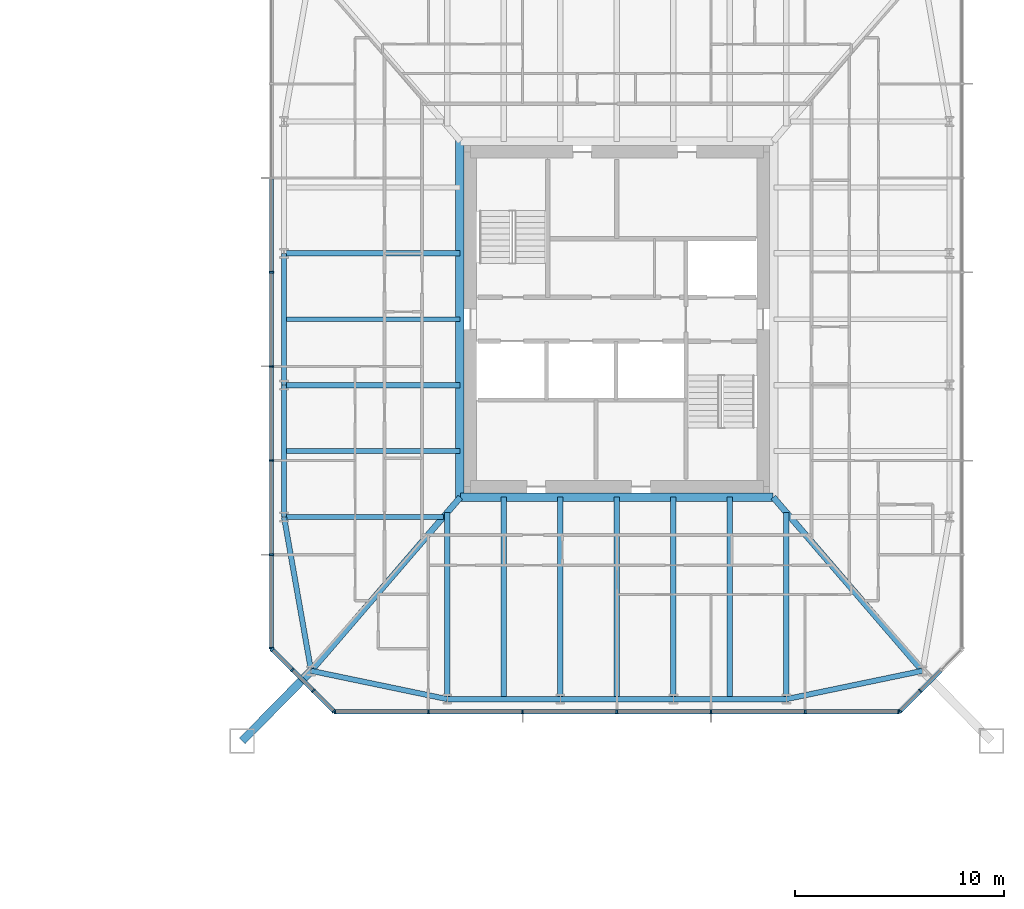
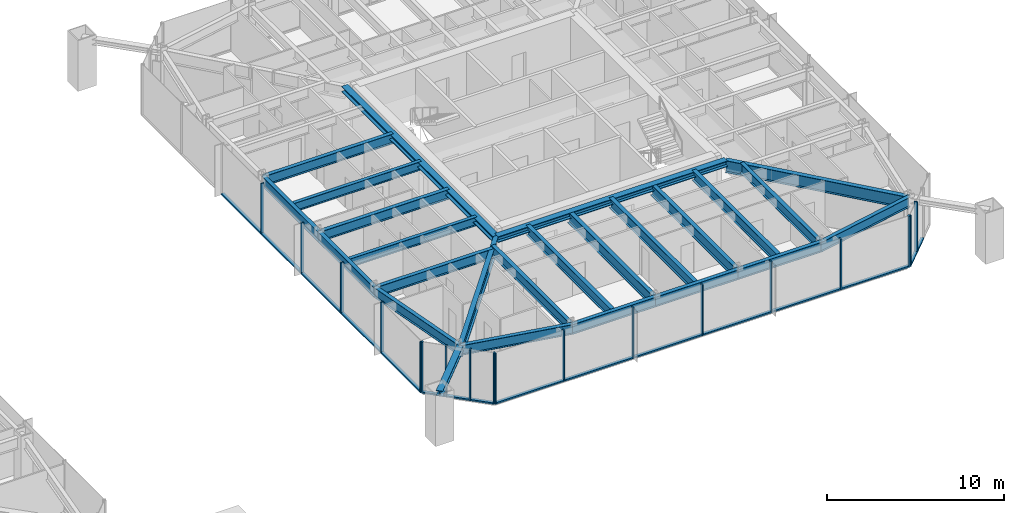
# One storey, part 8 of 26: 35 members, 24 beams, 4 elements without a shape of their own.
"""IFC4 building model written with IfcOpenShell, lengths in metres."""

from ifc_helpers import new_model, si_unit, direction, frame, origin, origin_2d, place, context, subcontext, project, spatial, rectangle, i_section, extrude, material, material_profile, profile_set, type_object, element, aggregate, save


model = new_model("IFC4")

# Units and contexts
model_context = context("Model", 3, precision=1e-05, world=origin(), true_north=direction((0.0, 1.0)))
body_context = subcontext(model_context, "Body", "Model", "MODEL_VIEW")
ifc_project = project(units=[si_unit("LENGTHUNIT", "METRE"), si_unit("AREAUNIT", "SQUARE_METRE"), si_unit("VOLUMEUNIT", "CUBIC_METRE"), si_unit("PLANEANGLEUNIT", "RADIAN"), si_unit("MASSUNIT", "GRAM", prefix="KILO")], contexts=[model_context])

# Site, building, storey
site_placement = place(None, origin())
site = spatial("IfcSite", under=ifc_project, at=site_placement, CompositionType="ELEMENT")
building_placement = place(site_placement, origin())
building = spatial("IfcBuilding", under=site, at=building_placement, Name="Iwan Alto Co-Living Towers", CompositionType="ELEMENT")
storey_placement = place(building_placement, frame((0.0, 0.0, 29.0)))
storey = spatial("IfcBuildingStorey", under=building, at=storey_placement, Name="L07", CompositionType="ELEMENT", Elevation=29.0)

# Curtain wall, members
ifc_material_1 = material(Name="Bronze aluminium unitised frame", Category="aluminium")
curtain_wall_type_1 = type_object("IfcCurtainWallType", Name="CURTAIN WALL CW-C", PredefinedType="NOTDEFINED", material=ifc_material_1)
curtain_wall_1_placement = place(storey_placement, origin())
curtain_wall_1 = element("IfcCurtainWall", 1, at=curtain_wall_1_placement, inside=storey, type_object=curtain_wall_type_1, Name="T2 curtain wall S L07", PredefinedType="NOTDEFINED")
ifc_material_2 = material(Name="Aluminium 6063-T6 bronze anodised", Category="aluminium")
ifc_material_profile_1 = material_profile(ifc_material_2, rectangle(XDim=0.199951171875, YDim=0.080078125, at=origin_2d()), Name="AL 80X200")
ifc_profile_set_1 = profile_set([ifc_material_profile_1], Name="Aluminium 6063-T6 bronze anodised")
member_type_1 = type_object("IfcMemberType", Name="CW-C MULLION 80X200", PredefinedType="MULLION", material=ifc_profile_set_1)
member_1_placement = place(storey_placement, frame((49.5400390625, -18.75, 0.0), z_axis=(0.0, 0.0, 1.0), x_axis=(0.0, 1.0, 0.0)))
member_1 = element("IfcMember", 2, at=member_1_placement, type_object=member_type_1, Name="CW-C mullion 1", PredefinedType="MULLION", context=body_context, shape_type="SweptSolid", body=[
    extrude(rectangle(XDim=0.199951171875, YDim=0.080078125, at=origin_2d()), origin(), (0.0, 0.0, 1.0), 3.5),
])
member_2_placement = place(storey_placement, frame((54.0, -18.75, 0.0), z_axis=(0.0, 0.0, 1.0), x_axis=(0.0, 1.0, 0.0)))
member_2 = element("IfcMember", 3, at=member_2_placement, type_object=member_type_1, Name="CW-C mullion 2", PredefinedType="MULLION", context=body_context, shape_type="SweptSolid", body=[
    extrude(rectangle(XDim=0.199951171875, YDim=0.080078125, at=origin_2d()), origin(), (0.0, 0.0, 1.0), 3.5),
])
member_3_placement = place(storey_placement, frame((58.5, -18.75, 0.0), z_axis=(0.0, 0.0, 1.0), x_axis=(0.0, 1.0, 0.0)))
member_3 = element("IfcMember", 4, at=member_3_placement, type_object=member_type_1, Name="CW-C mullion 3", PredefinedType="MULLION", context=body_context, shape_type="SweptSolid", body=[
    extrude(rectangle(XDim=0.199951171875, YDim=0.080078125, at=origin_2d()), origin(), (0.0, 0.0, 1.0), 3.5),
])
member_4_placement = place(storey_placement, frame((63.0, -18.75, 0.0), z_axis=(0.0, 0.0, 1.0), x_axis=(0.0, 1.0, 0.0)))
member_4 = element("IfcMember", 5, at=member_4_placement, type_object=member_type_1, Name="CW-C mullion 4", PredefinedType="MULLION", context=body_context, shape_type="SweptSolid", body=[
    extrude(rectangle(XDim=0.199951171875, YDim=0.080078125, at=origin_2d()), origin(), (0.0, 0.0, 1.0), 3.5),
])
member_5_placement = place(storey_placement, frame((67.5, -18.75, 0.0), z_axis=(0.0, 0.0, 1.0), x_axis=(0.0, 1.0, 0.0)))
member_5 = element("IfcMember", 6, at=member_5_placement, type_object=member_type_1, Name="CW-C mullion 5", PredefinedType="MULLION", context=body_context, shape_type="SweptSolid", body=[
    extrude(rectangle(XDim=0.199951171875, YDim=0.080078125, at=origin_2d()), origin(), (0.0, 0.0, 1.0), 3.5),
])
member_6_placement = place(storey_placement, frame((72.0, -18.75, 0.0), z_axis=(0.0, 0.0, 1.0), x_axis=(0.0, 1.0, 0.0)))
member_6 = element("IfcMember", 7, at=member_6_placement, type_object=member_type_1, Name="CW-C mullion 6", PredefinedType="MULLION", context=body_context, shape_type="SweptSolid", body=[
    extrude(rectangle(XDim=0.199951171875, YDim=0.080078125, at=origin_2d()), origin(), (0.0, 0.0, 1.0), 3.5),
])
member_7_placement = place(storey_placement, frame((76.4599609375, -18.75, 0.0), z_axis=(0.0, 0.0, 1.0), x_axis=(0.0, 1.0, 0.0)))
member_7 = element("IfcMember", 8, at=member_7_placement, type_object=member_type_1, Name="CW-C mullion 7", PredefinedType="MULLION", context=body_context, shape_type="SweptSolid", body=[
    extrude(rectangle(XDim=0.199951171875, YDim=0.080078125, at=origin_2d()), origin(), (0.0, 0.0, 1.0), 3.5),
])

curtain_wall_2_placement = place(storey_placement, origin())
curtain_wall_2 = element("IfcCurtainWall", 9, at=curtain_wall_2_placement, inside=storey, type_object=curtain_wall_type_1, Name="T2 curtain wall W L07", PredefinedType="NOTDEFINED")
member_8_placement = place(storey_placement, frame((46.5, 2.25, 0.0), z_axis=(0.0, 0.0, 1.0), x_axis=(1.0, 0.0, 0.0)))
member_8 = element("IfcMember", 10, at=member_8_placement, type_object=member_type_1, Name="CW-C mullion 4", PredefinedType="MULLION", context=body_context, shape_type="SweptSolid", body=[
    extrude(rectangle(XDim=0.199951171875, YDim=0.080078125, at=origin_2d()), origin(), (0.0, 0.0, 1.0), 3.5),
])
member_9_placement = place(storey_placement, frame((46.5, -2.25, 0.0), z_axis=(0.0, 0.0, 1.0), x_axis=(1.0, 0.0, 0.0)))
member_9 = element("IfcMember", 11, at=member_9_placement, type_object=member_type_1, Name="CW-C mullion 5", PredefinedType="MULLION", context=body_context, shape_type="SweptSolid", body=[
    extrude(rectangle(XDim=0.199951171875, YDim=0.080078125, at=origin_2d()), origin(), (0.0, 0.0, 1.0), 3.5),
])
member_10_placement = place(storey_placement, frame((46.5, -6.75, 0.0), z_axis=(0.0, 0.0, 1.0), x_axis=(1.0, 0.0, 0.0)))
member_10 = element("IfcMember", 12, at=member_10_placement, type_object=member_type_1, Name="CW-C mullion 6", PredefinedType="MULLION", context=body_context, shape_type="SweptSolid", body=[
    extrude(rectangle(XDim=0.199951171875, YDim=0.080078125, at=origin_2d()), origin(), (0.0, 0.0, 1.0), 3.5),
])
member_11_placement = place(storey_placement, frame((46.5, -11.25, 0.0), z_axis=(0.0, 0.0, 1.0), x_axis=(1.0, 0.0, 0.0)))
member_11 = element("IfcMember", 13, at=member_11_placement, type_object=member_type_1, Name="CW-C mullion 7", PredefinedType="MULLION", context=body_context, shape_type="SweptSolid", body=[
    extrude(rectangle(XDim=0.199951171875, YDim=0.080078125, at=origin_2d()), origin(), (0.0, 0.0, 1.0), 3.5),
])
member_12_placement = place(storey_placement, frame((46.5, -15.7099609375, 0.0), z_axis=(0.0, 0.0, 1.0), x_axis=(1.0, 0.0, 0.0)))
member_12 = element("IfcMember", 14, at=member_12_placement, type_object=member_type_1, Name="CW-C mullion 8", PredefinedType="MULLION", context=body_context, shape_type="SweptSolid", body=[
    extrude(rectangle(XDim=0.199951171875, YDim=0.080078125, at=origin_2d()), origin(), (0.0, 0.0, 1.0), 3.5),
])

# Member
ifc_material_3 = material(Name="Aluminium 6063-T6 bronze anodised", Category="aluminium")
ifc_material_profile_2 = material_profile(ifc_material_3, rectangle(XDim=0.199951171875, YDim=0.10009765625, at=origin_2d()), Name="AL 200X100")
ifc_profile_set_2 = profile_set([ifc_material_profile_2], Name="Aluminium 6063-T6 bronze anodised")
member_type_2 = type_object("IfcMemberType", Name="CW-C TRANSOM 200X100", PredefinedType="USERDEFINED", material=ifc_profile_set_2)
member_13_placement = place(storey_placement, frame((49.580078125, -18.75, 0.050048828125), z_axis=(1.0, 0.0, 0.0), x_axis=(0.0, 1.0, 0.0)))
member_13 = element("IfcMember", 15, at=member_13_placement, type_object=member_type_2, Name="CW-C transom 1.1", ObjectType="TRANSOM", PredefinedType="USERDEFINED", context=body_context, shape_type="SweptSolid", body=[
    extrude(rectangle(XDim=0.199951171875, YDim=0.10009765625, at=origin_2d()), origin(), (0.0, 0.0, 1.0), 4.3798828125),
])

member_14_placement = place(storey_placement, frame((54.0400390625, -18.75, 0.050048828125), z_axis=(1.0, 0.0, 0.0), x_axis=(0.0, 1.0, 0.0)))
member_14 = element("IfcMember", 16, at=member_14_placement, type_object=member_type_2, Name="CW-C transom 2.1", ObjectType="TRANSOM", PredefinedType="USERDEFINED", context=body_context, shape_type="SweptSolid", body=[
    extrude(rectangle(XDim=0.199951171875, YDim=0.10009765625, at=origin_2d()), origin(), (0.0, 0.0, 1.0), 4.419921875),
])

member_15_placement = place(storey_placement, frame((58.5400390625, -18.75, 0.050048828125), z_axis=(1.0, 0.0, 0.0), x_axis=(0.0, 1.0, 0.0)))
member_15 = element("IfcMember", 17, at=member_15_placement, type_object=member_type_2, Name="CW-C transom 3.1", ObjectType="TRANSOM", PredefinedType="USERDEFINED", context=body_context, shape_type="SweptSolid", body=[
    extrude(rectangle(XDim=0.199951171875, YDim=0.10009765625, at=origin_2d()), origin(), (0.0, 0.0, 1.0), 4.419921875),
])

member_16_placement = place(storey_placement, frame((63.0400390625, -18.75, 0.050048828125), z_axis=(1.0, 0.0, 0.0), x_axis=(0.0, 1.0, 0.0)))
member_16 = element("IfcMember", 18, at=member_16_placement, type_object=member_type_2, Name="CW-C transom 4.1", ObjectType="TRANSOM", PredefinedType="USERDEFINED", context=body_context, shape_type="SweptSolid", body=[
    extrude(rectangle(XDim=0.199951171875, YDim=0.10009765625, at=origin_2d()), origin(), (0.0, 0.0, 1.0), 4.419921875),
])

member_17_placement = place(storey_placement, frame((67.5400390625, -18.75, 0.050048828125), z_axis=(1.0, 0.0, 0.0), x_axis=(0.0, 1.0, 0.0)))
member_17 = element("IfcMember", 19, at=member_17_placement, type_object=member_type_2, Name="CW-C transom 5.1", ObjectType="TRANSOM", PredefinedType="USERDEFINED", context=body_context, shape_type="SweptSolid", body=[
    extrude(rectangle(XDim=0.199951171875, YDim=0.10009765625, at=origin_2d()), origin(), (0.0, 0.0, 1.0), 4.419921875),
])

member_18_placement = place(storey_placement, frame((72.0400390625, -18.75, 0.050048828125), z_axis=(1.0, 0.0, 0.0), x_axis=(0.0, 1.0, 0.0)))
member_18 = element("IfcMember", 20, at=member_18_placement, type_object=member_type_2, Name="CW-C transom 6.1", ObjectType="TRANSOM", PredefinedType="USERDEFINED", context=body_context, shape_type="SweptSolid", body=[
    extrude(rectangle(XDim=0.199951171875, YDim=0.10009765625, at=origin_2d()), origin(), (0.0, 0.0, 1.0), 4.3798828125),
])

aggregate(curtain_wall_1, [member_1, member_2, member_3, member_4, member_5, member_6, member_7, member_13, member_14, member_15, member_16, member_17, member_18])

member_19_placement = place(storey_placement, frame((46.5, 6.7099609375, 0.050048828125), z_axis=(0.0, -1.0, 0.0), x_axis=(1.0, 0.0, 0.0)))
member_19 = element("IfcMember", 21, at=member_19_placement, type_object=member_type_2, Name="CW-C transom 3.1", ObjectType="TRANSOM", PredefinedType="USERDEFINED", context=body_context, shape_type="SweptSolid", body=[
    extrude(rectangle(XDim=0.199951171875, YDim=0.10009765625, at=origin_2d()), origin(), (0.0, 0.0, 1.0), 4.419921875),
])

member_20_placement = place(storey_placement, frame((46.5, 2.2099609375, 0.050048828125), z_axis=(0.0, -1.0, 0.0), x_axis=(1.0, 0.0, 0.0)))
member_20 = element("IfcMember", 22, at=member_20_placement, type_object=member_type_2, Name="CW-C transom 4.1", ObjectType="TRANSOM", PredefinedType="USERDEFINED", context=body_context, shape_type="SweptSolid", body=[
    extrude(rectangle(XDim=0.199951171875, YDim=0.10009765625, at=origin_2d()), origin(), (0.0, 0.0, 1.0), 4.419921875),
])

member_21_placement = place(storey_placement, frame((46.5, -2.2900390625, 0.050048828125), z_axis=(0.0, -1.0, 0.0), x_axis=(1.0, 0.0, 0.0)))
member_21 = element("IfcMember", 23, at=member_21_placement, type_object=member_type_2, Name="CW-C transom 5.1", ObjectType="TRANSOM", PredefinedType="USERDEFINED", context=body_context, shape_type="SweptSolid", body=[
    extrude(rectangle(XDim=0.199951171875, YDim=0.10009765625, at=origin_2d()), origin(), (0.0, 0.0, 1.0), 4.419921875),
])

member_22_placement = place(storey_placement, frame((46.5, -6.7900390625, 0.050048828125), z_axis=(0.0, -1.0, 0.0), x_axis=(1.0, 0.0, 0.0)))
member_22 = element("IfcMember", 24, at=member_22_placement, type_object=member_type_2, Name="CW-C transom 6.1", ObjectType="TRANSOM", PredefinedType="USERDEFINED", context=body_context, shape_type="SweptSolid", body=[
    extrude(rectangle(XDim=0.199951171875, YDim=0.10009765625, at=origin_2d()), origin(), (0.0, 0.0, 1.0), 4.419921875),
])

member_23_placement = place(storey_placement, frame((46.5, -11.2900390625, 0.050048828125), z_axis=(0.0, -1.0, 0.0), x_axis=(1.0, 0.0, 0.0)))
member_23 = element("IfcMember", 25, at=member_23_placement, type_object=member_type_2, Name="CW-C transom 7.1", ObjectType="TRANSOM", PredefinedType="USERDEFINED", context=body_context, shape_type="SweptSolid", body=[
    extrude(rectangle(XDim=0.199951171875, YDim=0.10009765625, at=origin_2d()), origin(), (0.0, 0.0, 1.0), 4.3798828125),
])

aggregate(curtain_wall_2, [member_8, member_9, member_10, member_11, member_12, member_19, member_20, member_21, member_22, member_23])

# Curtain wall, members
ifc_material_4 = material(Name="Bronze aluminium unitised frame", Category="aluminium")
curtain_wall_type_2 = type_object("IfcCurtainWallType", Name="CURTAIN WALL CW-D", PredefinedType="NOTDEFINED", material=ifc_material_4)
curtain_wall_3_placement = place(storey_placement, origin())
curtain_wall_3 = element("IfcCurtainWall", 26, at=curtain_wall_3_placement, inside=storey, type_object=curtain_wall_type_2, Name="T2 chamfer curtain wall SE L07", PredefinedType="NOTDEFINED")
ifc_material_5 = material(Name="Aluminium 6063-T6 bronze anodised", Category="aluminium")
ifc_material_profile_3 = material_profile(ifc_material_5, rectangle(XDim=0.199951171875, YDim=0.080078125, at=origin_2d()), Name="AL 80X200")
ifc_profile_set_3 = profile_set([ifc_material_profile_3], Name="Aluminium 6063-T6 bronze anodised")
member_type_3 = type_object("IfcMemberType", Name="CW-D MULLION 80X200", PredefinedType="MULLION", material=ifc_profile_set_3)
member_24_placement = place(storey_placement, frame((76.5283203125, -18.7216796875, 0.0), z_axis=(0.0, 0.0, 1.0), x_axis=(-0.707106781187, 0.707106781187, 0.0)))
member_24 = element("IfcMember", 27, at=member_24_placement, type_object=member_type_3, Name="CW-D mullion 1", PredefinedType="MULLION", context=body_context, shape_type="SweptSolid", body=[
    extrude(rectangle(XDim=0.199951171875, YDim=0.080078125, at=origin_2d()), origin(), (0.0, 0.0, 1.0), 3.5),
])
member_25_placement = place(storey_placement, frame((77.5, -17.75, 0.0), z_axis=(0.0, 0.0, 1.0), x_axis=(-0.707106781187, 0.707106781187, 0.0)))
member_25 = element("IfcMember", 28, at=member_25_placement, type_object=member_type_3, Name="CW-D mullion 2", PredefinedType="MULLION", context=body_context, shape_type="SweptSolid", body=[
    extrude(rectangle(XDim=0.199951171875, YDim=0.080078125, at=origin_2d()), origin(), (0.0, 0.0, 1.0), 3.5),
])

curtain_wall_4_placement = place(storey_placement, origin())
curtain_wall_4 = element("IfcCurtainWall", 29, at=curtain_wall_4_placement, inside=storey, type_object=curtain_wall_type_2, Name="T2 chamfer curtain wall SW L07", PredefinedType="NOTDEFINED")
member_26_placement = place(storey_placement, frame((46.5283203125, -15.7783203125, 0.0), z_axis=(0.0, 0.0, 1.0), x_axis=(0.707106781187, 0.707106781187, 0.0)))
member_26 = element("IfcMember", 30, at=member_26_placement, type_object=member_type_3, Name="CW-D mullion 1", PredefinedType="MULLION", context=body_context, shape_type="SweptSolid", body=[
    extrude(rectangle(XDim=0.199951171875, YDim=0.080078125, at=origin_2d()), origin(), (0.0, 0.0, 1.0), 3.5),
])
member_27_placement = place(storey_placement, frame((47.5, -16.75, 0.0), z_axis=(0.0, 0.0, 1.0), x_axis=(0.707106781187, 0.707106781187, 0.0)))
member_27 = element("IfcMember", 31, at=member_27_placement, type_object=member_type_3, Name="CW-D mullion 2", PredefinedType="MULLION", context=body_context, shape_type="SweptSolid", body=[
    extrude(rectangle(XDim=0.199951171875, YDim=0.080078125, at=origin_2d()), origin(), (0.0, 0.0, 1.0), 3.5),
])
member_28_placement = place(storey_placement, frame((48.5, -17.75, 0.0), z_axis=(0.0, 0.0, 1.0), x_axis=(0.707106781187, 0.707106781187, 0.0)))
member_28 = element("IfcMember", 32, at=member_28_placement, type_object=member_type_3, Name="CW-D mullion 3", PredefinedType="MULLION", context=body_context, shape_type="SweptSolid", body=[
    extrude(rectangle(XDim=0.199951171875, YDim=0.080078125, at=origin_2d()), origin(), (0.0, 0.0, 1.0), 3.5),
])
member_29_placement = place(storey_placement, frame((49.4716796875, -18.7216796875, 0.0), z_axis=(0.0, 0.0, 1.0), x_axis=(0.707106781187, 0.707106781187, 0.0)))
member_29 = element("IfcMember", 33, at=member_29_placement, type_object=member_type_3, Name="CW-D mullion 4", PredefinedType="MULLION", context=body_context, shape_type="SweptSolid", body=[
    extrude(rectangle(XDim=0.199951171875, YDim=0.080078125, at=origin_2d()), origin(), (0.0, 0.0, 1.0), 3.5),
])

# Member
ifc_material_6 = material(Name="Aluminium 6063-T6 bronze anodised", Category="aluminium")
ifc_material_profile_4 = material_profile(ifc_material_6, rectangle(XDim=0.199951171875, YDim=0.10009765625, at=origin_2d()), Name="AL 200X100")
ifc_profile_set_4 = profile_set([ifc_material_profile_4], Name="Aluminium 6063-T6 bronze anodised")
member_type_4 = type_object("IfcMemberType", Name="CW-D TRANSOM 200X100", PredefinedType="USERDEFINED", material=ifc_profile_set_4)
member_30_placement = place(storey_placement, frame((76.556640625, -18.693359375, 0.050048828125), z_axis=(0.707106781187, 0.707106781187, 0.0), x_axis=(-0.707106781187, 0.707106781187, 0.0)))
member_30 = element("IfcMember", 34, at=member_30_placement, type_object=member_type_4, Name="CW-D transom 1.1", ObjectType="TRANSOM", PredefinedType="USERDEFINED", context=body_context, shape_type="SweptSolid", body=[
    extrude(rectangle(XDim=0.199951171875, YDim=0.10009765625, at=origin_2d()), origin(), (0.0, 0.0, 1.0), 1.2939453125),
])

member_31_placement = place(storey_placement, frame((77.5283203125, -17.7216796875, 0.050048828125), z_axis=(0.707106781187, 0.707106781187, 0.0), x_axis=(-0.707106781187, 0.707106781187, 0.0)))
member_31 = element("IfcMember", 35, at=member_31_placement, type_object=member_type_4, Name="CW-D transom 2.1", ObjectType="TRANSOM", PredefinedType="USERDEFINED", context=body_context, shape_type="SweptSolid", body=[
    extrude(rectangle(XDim=0.199951171875, YDim=0.10009765625, at=origin_2d()), origin(), (0.0, 0.0, 1.0), 1.334228515625),
])

aggregate(curtain_wall_3, [member_24, member_25, member_30, member_31])

member_32_placement = place(storey_placement, frame((46.556640625, -15.806640625, 0.050048828125), z_axis=(0.707106781187, -0.707106781187, 0.0), x_axis=(0.707106781187, 0.707106781187, 0.0)))
member_32 = element("IfcMember", 36, at=member_32_placement, type_object=member_type_4, Name="CW-D transom 1.1", ObjectType="TRANSOM", PredefinedType="USERDEFINED", context=body_context, shape_type="SweptSolid", body=[
    extrude(rectangle(XDim=0.199951171875, YDim=0.10009765625, at=origin_2d()), origin(), (0.0, 0.0, 1.0), 1.2939453125),
])

member_33_placement = place(storey_placement, frame((47.5283203125, -16.7783203125, 0.050048828125), z_axis=(0.707106781187, -0.707106781187, 0.0), x_axis=(0.707106781187, 0.707106781187, 0.0)))
member_33 = element("IfcMember", 37, at=member_33_placement, type_object=member_type_4, Name="CW-D transom 2.1", ObjectType="TRANSOM", PredefinedType="USERDEFINED", context=body_context, shape_type="SweptSolid", body=[
    extrude(rectangle(XDim=0.199951171875, YDim=0.10009765625, at=origin_2d()), origin(), (0.0, 0.0, 1.0), 1.334228515625),
])

member_34_placement = place(storey_placement, frame((48.5283203125, -17.7783203125, 0.050048828125), z_axis=(0.707106781187, -0.707106781187, 0.0), x_axis=(0.707106781187, 0.707106781187, 0.0)))
member_34 = element("IfcMember", 38, at=member_34_placement, type_object=member_type_4, Name="CW-D transom 3.1", ObjectType="TRANSOM", PredefinedType="USERDEFINED", context=body_context, shape_type="SweptSolid", body=[
    extrude(rectangle(XDim=0.199951171875, YDim=0.10009765625, at=origin_2d()), origin(), (0.0, 0.0, 1.0), 1.2939453125),
])

aggregate(curtain_wall_4, [member_26, member_27, member_28, member_29, member_32, member_33, member_34])

# Beams
ifc_material_7 = material(Name="Steel ASTM A992 Gr 50", Category="steel")
ifc_material_profile_5 = material_profile(ifc_material_7, i_section(OverallWidth=0.40380859375, OverallDepth=0.406494140625, WebThickness=0.027099609375, FlangeThickness=0.043701171875, at=origin_2d()), Name="W14X233")
ifc_profile_set_5 = profile_set([ifc_material_profile_5], Name="Steel ASTM A992 Gr 50")
beam_type_1 = type_object("IfcBeamType", Name="T2 CORE LEDGER BEAM W14X233", PredefinedType="BEAM", material=ifc_profile_set_5)
beam_1_placement = place(storey_placement, frame((55.5263671875, -8.501953125, 3.06689453125), z_axis=(1.0, 0.0, 0.0), x_axis=(0.0, 1.0, 0.0)))
element("IfcBeam", 39, at=beam_1_placement, inside=storey, type_object=beam_type_1, Name="T2 core ledger beam S L08", PredefinedType="BEAM", context=body_context, shape_type="SweptSolid", body=[
    extrude(i_section(OverallWidth=0.40380859375, OverallDepth=0.406494140625, WebThickness=0.027099609375, FlangeThickness=0.043701171875, at=origin_2d()), origin(), (0.0, 0.0, 1.0), 14.947265625),
])
beam_2_placement = place(storey_placement, frame((55.498046875, 8.534912109375, 3.06689453125), z_axis=(0.0, -1.0, 0.0), x_axis=(1.0, 0.0, 0.0)))
element("IfcBeam", 40, at=beam_2_placement, inside=storey, type_object=beam_type_1, Name="T2 core ledger beam W L08", PredefinedType="BEAM", context=body_context, shape_type="SweptSolid", body=[
    extrude(i_section(OverallWidth=0.40380859375, OverallDepth=0.406494140625, WebThickness=0.027099609375, FlangeThickness=0.043701171875, at=origin_2d()), origin(), (0.0, 0.0, 1.0), 17.06982421875),
])
ifc_material_8 = material(Name="Steel ASTM A992 Gr 50", Category="steel")
ifc_material_profile_6 = material_profile(ifc_material_8, i_section(OverallWidth=0.2919921875, OverallDepth=0.8408203125, WebThickness=0.0146484375, FlangeThickness=0.021728515625, at=origin_2d()), Name="W33X130")
ifc_profile_set_6 = profile_set([ifc_material_profile_6], Name="Steel ASTM A992 Gr 50")
beam_type_2 = type_object("IfcBeamType", Name="T2 CORNER GIRDER W33X130", PredefinedType="BEAM", material=ifc_profile_set_6)
for number, where, z_axis, x_axis, name in (
    (41, (48.393798828125, -16.797119140625, 2.849609375), (0.651972301827, 0.758242782788, 0.0), (-0.758242782788, 0.651972301827, 0.0), "T2 corner girder CSW L08"),
    (42, (77.606201171875, -16.797119140625, 2.849609375), (-0.651972301827, 0.758242782788, 0.0), (-0.758242782788, -0.651972301827, 0.0), "T2 corner girder CSE L08"),
):
    element("IfcBeam", number, at=place(storey_placement, frame(where, z_axis=z_axis, x_axis=x_axis)), inside=storey, type_object=beam_type_2, Name=name, PredefinedType="BEAM", context=body_context, shape_type="SweptSolid", body=[
        extrude(i_section(OverallWidth=0.2919921875, OverallDepth=0.8408203125, WebThickness=0.0146484375, FlangeThickness=0.021728515625, at=origin_2d()), origin(), (0.0, 0.0, 1.0), 10.93994140625),
    ])
ifc_material_9 = material(Name="Steel ASTM A992 Gr 50", Category="steel")
ifc_material_profile_7 = material_profile(ifc_material_9, i_section(OverallWidth=0.25390625, OverallDepth=0.683349609375, WebThickness=0.012451171875, FlangeThickness=0.018798828125, at=origin_2d()), Name="W27X94")
ifc_profile_set_7 = profile_set([ifc_material_profile_7], Name="Steel ASTM A992 Gr 50")
beam_type_3 = type_object("IfcBeamType", Name="T2 EDGE BEAM W27X94", PredefinedType="BEAM", material=ifc_profile_set_7)
beam_3_placement = place(storey_placement, frame((48.393798828125, -16.797119140625, 2.928466796875), z_axis=(0.979060119423, -0.203571320564, 0.0), x_axis=(0.203571320564, 0.979060119423, 0.0)))
element("IfcBeam", 43, at=beam_3_placement, inside=storey, type_object=beam_type_3, Name="T2 edge beam CSW L08", PredefinedType="BEAM", context=body_context, shape_type="SweptSolid", body=[
    extrude(i_section(OverallWidth=0.25390625, OverallDepth=0.683349609375, WebThickness=0.012451171875, FlangeThickness=0.018798828125, at=origin_2d()), origin(), (0.0, 0.0, 1.0), 6.645263671875),
])
beam_4_placement = place(storey_placement, frame((54.89990234375, -18.14990234375, 2.928466796875), z_axis=(1.0, 0.0, 0.0), x_axis=(0.0, 1.0, 0.0)))
element("IfcBeam", 44, at=beam_4_placement, inside=storey, type_object=beam_type_3, Name="T2 edge beam S1 L08", PredefinedType="BEAM", context=body_context, shape_type="SweptSolid", body=[
    extrude(i_section(OverallWidth=0.25390625, OverallDepth=0.683349609375, WebThickness=0.012451171875, FlangeThickness=0.018798828125, at=origin_2d()), origin(), (0.0, 0.0, 1.0), 5.400146484375),
])
beam_5_placement = place(storey_placement, frame((60.300048828125, -18.14990234375, 2.928466796875), z_axis=(1.0, 0.0, 0.0), x_axis=(0.0, 1.0, 0.0)))
element("IfcBeam", 45, at=beam_5_placement, inside=storey, type_object=beam_type_3, Name="T2 edge beam S2 L08", PredefinedType="BEAM", context=body_context, shape_type="SweptSolid", body=[
    extrude(i_section(OverallWidth=0.25390625, OverallDepth=0.683349609375, WebThickness=0.012451171875, FlangeThickness=0.018798828125, at=origin_2d()), origin(), (0.0, 0.0, 1.0), 5.39990234375),
])
beam_6_placement = place(storey_placement, frame((65.699951171875, -18.14990234375, 2.928466796875), z_axis=(1.0, 0.0, 0.0), x_axis=(0.0, 1.0, 0.0)))
element("IfcBeam", 46, at=beam_6_placement, inside=storey, type_object=beam_type_3, Name="T2 edge beam S3 L08", PredefinedType="BEAM", context=body_context, shape_type="SweptSolid", body=[
    extrude(i_section(OverallWidth=0.25390625, OverallDepth=0.683349609375, WebThickness=0.012451171875, FlangeThickness=0.018798828125, at=origin_2d()), origin(), (0.0, 0.0, 1.0), 5.400146484375),
])
beam_7_placement = place(storey_placement, frame((71.10009765625, -18.14990234375, 2.928466796875), z_axis=(0.979060119423, 0.203571320564, 0.0), x_axis=(-0.203571320564, 0.979060119423, 0.0)))
element("IfcBeam", 47, at=beam_7_placement, inside=storey, type_object=beam_type_3, Name="T2 edge beam S4 L08", PredefinedType="BEAM", context=body_context, shape_type="SweptSolid", body=[
    extrude(i_section(OverallWidth=0.25390625, OverallDepth=0.683349609375, WebThickness=0.012451171875, FlangeThickness=0.018798828125, at=origin_2d()), origin(), (0.0, 0.0, 1.0), 6.645263671875),
])
beam_8_placement = place(storey_placement, frame((47.10009765625, 3.14990234375, 2.928466796875), z_axis=(0.0, -1.0, 0.0), x_axis=(1.0, 0.0, 0.0)))
element("IfcBeam", 48, at=beam_8_placement, inside=storey, type_object=beam_type_3, Name="T2 edge beam W2 L08", PredefinedType="BEAM", context=body_context, shape_type="SweptSolid", body=[
    extrude(i_section(OverallWidth=0.25390625, OverallDepth=0.683349609375, WebThickness=0.012451171875, FlangeThickness=0.018798828125, at=origin_2d()), origin(), (0.0, 0.0, 1.0), 6.2998046875),
])
beam_9_placement = place(storey_placement, frame((47.10009765625, -3.14990234375, 2.928466796875), z_axis=(0.0, -1.0, 0.0), x_axis=(1.0, 0.0, 0.0)))
element("IfcBeam", 49, at=beam_9_placement, inside=storey, type_object=beam_type_3, Name="T2 edge beam W3 L08", PredefinedType="BEAM", context=body_context, shape_type="SweptSolid", body=[
    extrude(i_section(OverallWidth=0.25390625, OverallDepth=0.683349609375, WebThickness=0.012451171875, FlangeThickness=0.018798828125, at=origin_2d()), origin(), (0.0, 0.0, 1.0), 6.300048828125),
])
beam_10_placement = place(storey_placement, frame((47.10009765625, -9.449951171875, 2.928466796875), z_axis=(0.173413807283, -0.98484905008, 0.0), x_axis=(0.98484905008, 0.173413807283, 0.0)))
element("IfcBeam", 50, at=beam_10_placement, inside=storey, type_object=beam_type_3, Name="T2 edge beam W4 L08", PredefinedType="BEAM", context=body_context, shape_type="SweptSolid", body=[
    extrude(i_section(OverallWidth=0.25390625, OverallDepth=0.683349609375, WebThickness=0.012451171875, FlangeThickness=0.018798828125, at=origin_2d()), origin(), (0.0, 0.0, 1.0), 7.460205078125),
])

# Member
ifc_material_10 = material(Name="Steel ASTM A992 Gr 50", Category="steel")
ifc_material_profile_8 = material_profile(ifc_material_10, i_section(OverallWidth=0.393798828125, OverallDepth=0.3759765625, WebThickness=0.017333984375, FlangeThickness=0.027587890625, at=origin_2d()), Name="W14X145")
ifc_profile_set_8 = profile_set([ifc_material_profile_8], Name="Steel ASTM A992 Gr 50")
member_type_5 = type_object("IfcMemberType", Name="T2 MEGA COLUMN FLOOR TIE W14X145", PredefinedType="STRUT", material=ifc_profile_set_8)
member_35_placement = place(storey_placement, frame((45.10009765625, -20.14990234375, 3.08203125), z_axis=(0.700793469544, 0.71336422187, 0.0), x_axis=(-0.71336422187, 0.700793469544, 0.0)))
element("IfcMember", 51, at=member_35_placement, inside=storey, type_object=member_type_5, Name="T2 mega column floor tie SW L08", PredefinedType="STRUT", context=body_context, shape_type="SweptSolid", body=[
    extrude(i_section(OverallWidth=0.393798828125, OverallDepth=0.3759765625, WebThickness=0.017333984375, FlangeThickness=0.027587890625, at=origin_2d()), origin(), (0.0, 0.0, 1.0), 4.699951171875),
])

# Beams
ifc_material_11 = material(Name="Steel ASTM A992 Gr 50", Category="steel")
ifc_material_profile_9 = material_profile(ifc_material_11, i_section(OverallWidth=0.25390625, OverallDepth=0.683349609375, WebThickness=0.012451171875, FlangeThickness=0.018798828125, at=origin_2d()), Name="W27X94")
ifc_profile_set_9 = profile_set([ifc_material_profile_9], Name="Steel ASTM A992 Gr 50")
beam_type_4 = type_object("IfcBeamType", Name="T2 RADIAL BEAM W27X94", PredefinedType="BEAM", material=ifc_profile_set_9)
for number, where, z_axis, x_axis, name in (
    (52, (54.89990234375, -18.14990234375, 2.928466796875), (0.0, 1.0, 0.0), (-1.0, 0.0, 0.0), "T2 radial beam S1 L08"),
    (53, (71.10009765625, -18.14990234375, 2.928466796875), (0.0, 1.0, 0.0), (-1.0, 0.0, 0.0), "T2 radial beam S4 L08"),
):
    element("IfcBeam", number, at=place(storey_placement, frame(where, z_axis=z_axis, x_axis=x_axis)), inside=storey, type_object=beam_type_4, Name=name, PredefinedType="BEAM", context=body_context, shape_type="SweptSolid", body=[
        extrude(i_section(OverallWidth=0.25390625, OverallDepth=0.683349609375, WebThickness=0.012451171875, FlangeThickness=0.018798828125, at=origin_2d()), origin(), (0.0, 0.0, 1.0), 8.91943359375),
    ])
for number, where, z_axis, x_axis, name in (
    (54, (47.10009765625, 3.14990234375, 2.928466796875), (1.0, 0.0, 0.0), (0.0, 1.0, 0.0), "T2 radial beam W2 L08"),
    (55, (47.10009765625, -3.14990234375, 2.928466796875), (1.0, 0.0, 0.0), (0.0, 1.0, 0.0), "T2 radial beam W3 L08"),
):
    element("IfcBeam", number, at=place(storey_placement, frame(where, z_axis=z_axis, x_axis=x_axis)), inside=storey, type_object=beam_type_4, Name=name, PredefinedType="BEAM", context=body_context, shape_type="SweptSolid", body=[
        extrude(i_section(OverallWidth=0.25390625, OverallDepth=0.683349609375, WebThickness=0.012451171875, FlangeThickness=0.018798828125, at=origin_2d()), origin(), (0.0, 0.0, 1.0), 8.39794921875),
    ])
beam_11_placement = place(storey_placement, frame((47.10009765625, -9.449951171875, 2.928466796875), z_axis=(1.0, 0.0, 0.0), x_axis=(0.0, 1.0, 0.0)))
element("IfcBeam", 56, at=beam_11_placement, inside=storey, type_object=beam_type_4, Name="T2 radial beam W4 L08", PredefinedType="BEAM", context=body_context, shape_type="SweptSolid", body=[
    extrude(i_section(OverallWidth=0.25390625, OverallDepth=0.683349609375, WebThickness=0.012451171875, FlangeThickness=0.018798828125, at=origin_2d()), origin(), (0.0, 0.0, 1.0), 7.611083984375),
])
ifc_material_12 = material(Name="Steel ASTM A992 Gr 50", Category="steel")
ifc_material_profile_10 = material_profile(ifc_material_12, i_section(OverallWidth=0.2666015625, OverallDepth=0.761962890625, WebThickness=0.014404296875, FlangeThickness=0.021484375, at=origin_2d()), Name="W30X116")
ifc_profile_set_10 = profile_set([ifc_material_profile_10], Name="Steel ASTM A992 Gr 50")
beam_type_5 = type_object("IfcBeamType", Name="T2 RADIAL BEAM W30X116", PredefinedType="BEAM", material=ifc_profile_set_10)
for number, where, z_axis, x_axis, name in (
    (57, (60.300048828125, -18.14990234375, 2.888916015625), (0.0, 1.0, 0.0), (-1.0, 0.0, 0.0), "T2 radial beam S2 L08"),
    (58, (65.699951171875, -18.14990234375, 2.888916015625), (0.0, 1.0, 0.0), (-1.0, 0.0, 0.0), "T2 radial beam S3 L08"),
):
    element("IfcBeam", number, at=place(storey_placement, frame(where, z_axis=z_axis, x_axis=x_axis)), inside=storey, type_object=beam_type_5, Name=name, PredefinedType="BEAM", context=body_context, shape_type="SweptSolid", body=[
        extrude(i_section(OverallWidth=0.2666015625, OverallDepth=0.761962890625, WebThickness=0.014404296875, FlangeThickness=0.021484375, at=origin_2d()), origin(), (0.0, 0.0, 1.0), 9.64794921875),
    ])
ifc_material_13 = material(Name="Steel ASTM A992 Gr 50", Category="steel")
ifc_material_profile_11 = material_profile(ifc_material_13, i_section(OverallWidth=0.228271484375, OverallDepth=0.607177734375, WebThickness=0.01123046875, FlangeThickness=0.017333984375, at=origin_2d()), Name="W24X76")
ifc_profile_set_11 = profile_set([ifc_material_profile_11], Name="Steel ASTM A992 Gr 50")
beam_type_6 = type_object("IfcBeamType", Name="T2 SECONDARY BEAM W24X76", PredefinedType="JOIST", material=ifc_profile_set_11)
for number, where, z_axis, x_axis, name in (
    (59, (47.10009765625, 0.0, 2.966552734375), (1.0, 0.0, 0.0), (0.0, 1.0, 0.0), "T2 secondary beam W2 L08"),
    (60, (47.10009765625, -6.300048828125, 2.966552734375), (1.0, 0.0, 0.0), (0.0, 1.0, 0.0), "T2 secondary beam W3 L08"),
):
    element("IfcBeam", number, at=place(storey_placement, frame(where, z_axis=z_axis, x_axis=x_axis)), inside=storey, type_object=beam_type_6, Name=name, PredefinedType="JOIST", context=body_context, shape_type="SweptSolid", body=[
        extrude(i_section(OverallWidth=0.228271484375, OverallDepth=0.607177734375, WebThickness=0.01123046875, FlangeThickness=0.017333984375, at=origin_2d()), origin(), (0.0, 0.0, 1.0), 8.39794921875),
    ])
ifc_material_14 = material(Name="Steel ASTM A992 Gr 50", Category="steel")
ifc_material_profile_12 = material_profile(ifc_material_14, i_section(OverallWidth=0.25390625, OverallDepth=0.683349609375, WebThickness=0.012451171875, FlangeThickness=0.018798828125, at=origin_2d()), Name="W27X94")
ifc_profile_set_12 = profile_set([ifc_material_profile_12], Name="Steel ASTM A992 Gr 50")
beam_type_7 = type_object("IfcBeamType", Name="T2 SECONDARY BEAM W27X94", PredefinedType="JOIST", material=ifc_profile_set_12)
for number, where, z_axis, x_axis, name in (
    (61, (57.60009765625, -18.14990234375, 2.928466796875), (0.0, 1.0, 0.0), (-1.0, 0.0, 0.0), "T2 secondary beam S1 L08"),
    (62, (63.0, -18.14990234375, 2.928466796875), (0.0, 1.0, 0.0), (-1.0, 0.0, 0.0), "T2 secondary beam S2 L08"),
    (63, (68.39990234375, -18.14990234375, 2.928466796875), (0.0, 1.0, 0.0), (-1.0, 0.0, 0.0), "T2 secondary beam S3 L08"),
):
    element("IfcBeam", number, at=place(storey_placement, frame(where, z_axis=z_axis, x_axis=x_axis)), inside=storey, type_object=beam_type_7, Name=name, PredefinedType="JOIST", context=body_context, shape_type="SweptSolid", body=[
        extrude(i_section(OverallWidth=0.25390625, OverallDepth=0.683349609375, WebThickness=0.012451171875, FlangeThickness=0.018798828125, at=origin_2d()), origin(), (0.0, 0.0, 1.0), 9.64794921875),
    ])

save(model, "model.ifc")
